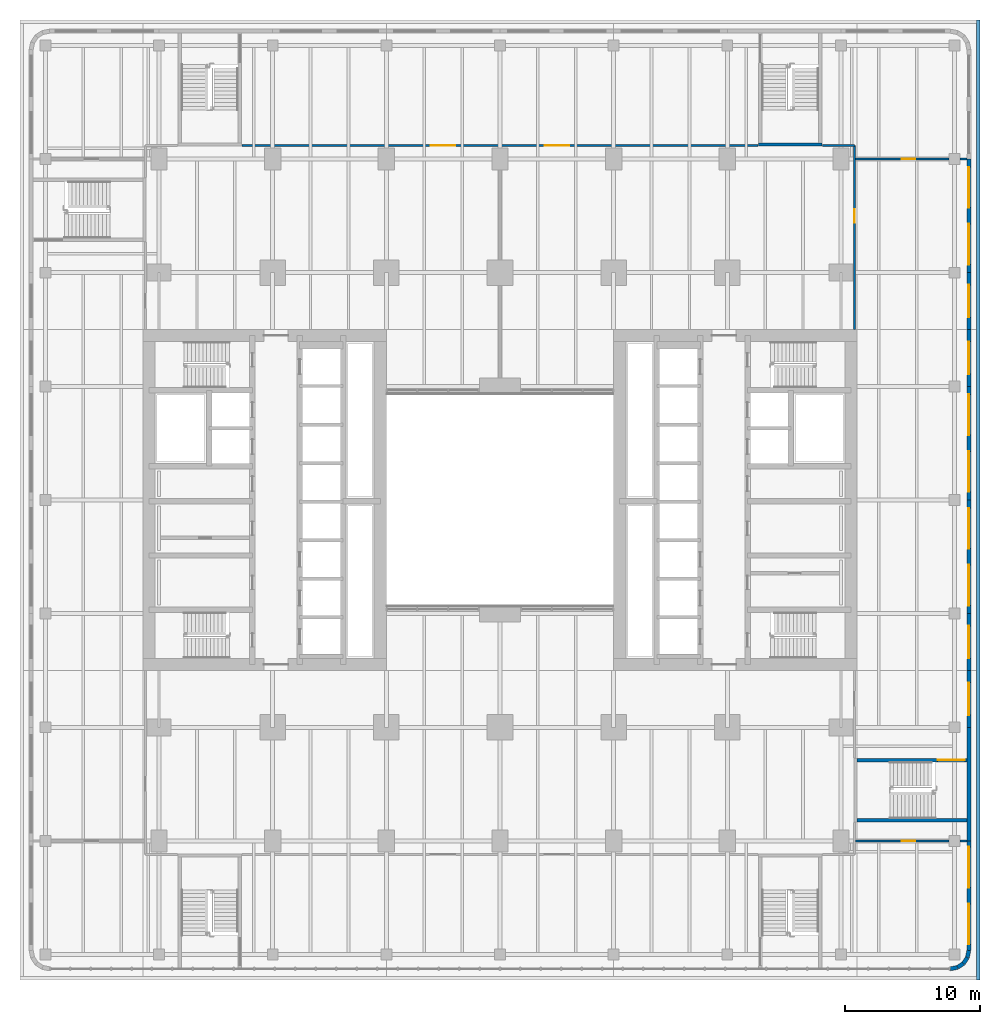
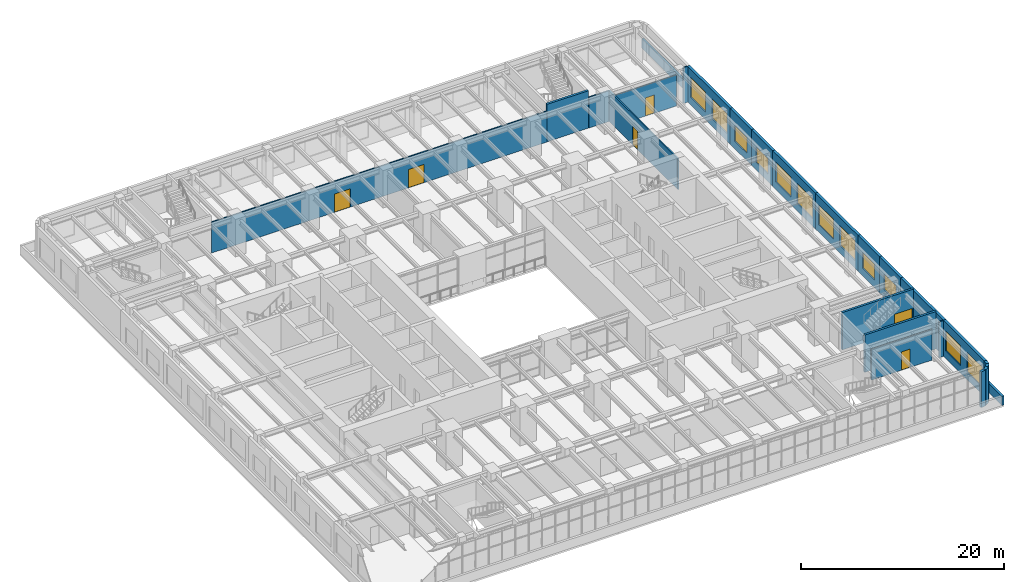
# One storey, part 21 of 30: 24 walls, 12 windows, 6 doors, 18 openings.
"""IFC4 building model written with IfcOpenShell, lengths in metres."""

from ifc_helpers import new_model, si_unit, direction, frame, frame_2d, origin, place, context, subcontext, project, spatial, rectangle, extrude, material, layer, layer_set, type_object, element, fill, save


model = new_model("IFC4")

# Units and contexts
model_context = context("Model", 3, precision=1e-05, world=origin(), true_north=direction((0.0, 1.0)))
body_context = subcontext(model_context, "Body", "Model", "MODEL_VIEW")
ifc_project = project(units=[si_unit("LENGTHUNIT", "METRE"), si_unit("AREAUNIT", "SQUARE_METRE"), si_unit("VOLUMEUNIT", "CUBIC_METRE"), si_unit("PLANEANGLEUNIT", "RADIAN"), si_unit("MASSUNIT", "GRAM", prefix="KILO")], contexts=[model_context])

# Site, building, storey
site_placement = place(None, origin())
site = spatial("IfcSite", under=ifc_project, at=site_placement, CompositionType="ELEMENT")
building_placement = place(site_placement, origin())
building = spatial("IfcBuilding", under=site, at=building_placement, Name="Claustro Exchange Tower", CompositionType="ELEMENT")
storey_placement = place(building_placement, frame((0.0, 0.0, 5.39990234375)))
storey = spatial("IfcBuildingStorey", under=building, at=storey_placement, Name="L01", CompositionType="ELEMENT", Elevation=5.39990234375)

# Wall, opening, door
ifc_material_1 = material(Name="Gypsum board on steel studs", Category="steel")
ifc_layer_1 = layer(ifc_material_1, 0.14990234375)
ifc_layer_set_1 = layer_set([ifc_layer_1], Name="Gypsum board on steel studs")
wall_type_1 = type_object("IfcWallType", Name="P1 150 plasterboard partition", PredefinedType="PARTITIONING", material=ifc_layer_set_1)
wall_1_placement = place(storey_placement, frame((51.47412109375, 0.0, 0.0), z_axis=(0.0, 0.0, 1.0), x_axis=(1.0, 0.0, 0.0)))
wall_1 = element("IfcWall", 1, at=wall_1_placement, inside=storey, type_object=wall_type_1, Name="Partition P1 L01", PredefinedType="PARTITIONING", context=body_context, shape_type="SweptSolid", body=[
    extrude(rectangle(XDim=6.9267578125, YDim=0.14990234375, at=frame_2d((3.46337890625, 0.0))), origin(), (0.0, 0.0, 1.0), 3.7001953125),
])
opening_1_placement = place(wall_1_placement, frame((3.426025390625, 0.0, 0.0)))
opening_1 = element("IfcOpeningElement", 2, at=opening_1_placement, cuts=wall_1, Name="Opening D1", PredefinedType="OPENING", context=body_context, shape_type="SweptSolid", body=[
    extrude(rectangle(XDim=1.0, YDim=2.199951171875, at=frame_2d((0.5, 1.10009765625))), frame((0.0, 0.0849609375, 0.0), z_axis=(0.0, -1.0, 0.0), x_axis=(1.0, 0.0, 0.0)), (0.0, 0.0, 1.0), 0.169921875),
])
ifc_material_2 = material(Name="Timber door, oak veneer", Category="wood")
door_type_1 = type_object("IfcDoorType", Name="D1 1000 x 2200 single door", OperationType="SINGLE_SWING_LEFT", PredefinedType="DOOR", material=ifc_material_2)
door_1_placement = place(opening_1_placement, origin())
door_1 = element("IfcDoor", 3, at=door_1_placement, inside=storey, type_object=door_type_1, Name="Door D1 L01", OperationType="SINGLE_SWING_LEFT", OverallHeight=2.199951171875, OverallWidth=1.0, PredefinedType="DOOR", context=body_context, shape_type="SweptSolid", body=[
    extrude(rectangle(XDim=1.0, YDim=2.199951171875, at=frame_2d((0.5, 1.10009765625))), frame((0.0, 0.02490234375, 0.0), z_axis=(0.0, -1.0, 0.0), x_axis=(1.0, 0.0, 0.0)), (0.0, 0.0, 1.0), 0.050048828125),
])
fill(opening_1, door_1)

# Wall
wall_2_placement = place(storey_placement, frame((59.198974609375, 0.0, 0.0), z_axis=(0.0, 0.0, 1.0), x_axis=(1.0, 0.0, 0.0)))
element("IfcWall", 4, at=wall_2_placement, inside=storey, type_object=wall_type_1, Name="Partition P1 L01", PredefinedType="PARTITIONING", context=body_context, shape_type="SweptSolid", body=[
    extrude(rectangle(XDim=0.5029296875, YDim=0.14990234375, at=frame_2d((0.25146484375, 0.0))), origin(), (0.0, 0.0, 1.0), 4.300048828125),
])

# Wall, openings, doors
wall_3_placement = place(storey_placement, frame((6.1201171875, 51.39990234375, 0.0), z_axis=(0.0, 0.0, 1.0), x_axis=(1.0, 0.0, 0.0)))
wall_3 = element("IfcWall", 5, at=wall_3_placement, inside=storey, type_object=wall_type_1, Name="Partition P1 L01", PredefinedType="PARTITIONING", context=body_context, shape_type="SweptSolid", body=[
    extrude(rectangle(XDim=38.159912109375, YDim=0.14990234375, at=frame_2d((19.080078125, 0.0))), origin(), (0.0, 0.0, 1.0), 3.7001953125),
])
opening_2_placement = place(wall_3_placement, frame((13.97998046875, 0.0, 0.0)))
opening_2 = element("IfcOpeningElement", 6, at=opening_2_placement, cuts=wall_3, Name="Opening D2", PredefinedType="OPENING", context=body_context, shape_type="SweptSolid", body=[
    extrude(rectangle(XDim=1.800048828125, YDim=2.199951171875, at=frame_2d((0.89990234375, 1.10009765625))), frame((0.0, 0.0849609375, 0.0), z_axis=(0.0, -1.0, 0.0), x_axis=(1.0, 0.0, 0.0)), (0.0, 0.0, 1.0), 0.169921875),
])
opening_3_placement = place(wall_3_placement, frame((22.3798828125, 0.0, 0.0)))
opening_3 = element("IfcOpeningElement", 7, at=opening_3_placement, cuts=wall_3, Name="Opening D2", PredefinedType="OPENING", context=body_context, shape_type="SweptSolid", body=[
    extrude(rectangle(XDim=1.800048828125, YDim=2.199951171875, at=frame_2d((0.89990234375, 1.10009765625))), frame((0.0, 0.0849609375, 0.0), z_axis=(0.0, -1.0, 0.0), x_axis=(1.0, 0.0, 0.0)), (0.0, 0.0, 1.0), 0.169921875),
])
ifc_material_3 = material(Name="Timber door, oak veneer", Category="wood")
door_type_2 = type_object("IfcDoorType", Name="D2 1800 x 2200 double door", OperationType="DOUBLE_DOOR_SINGLE_SWING", PredefinedType="DOOR", material=ifc_material_3)
door_2_placement = place(opening_2_placement, frame((1.800048828125, 0.0, 0.0), z_axis=(0.0, 0.0, 1.0), x_axis=(-1.0, 0.0, 0.0)))
door_2 = element("IfcDoor", 8, at=door_2_placement, inside=storey, type_object=door_type_2, Name="Double door D2 L01", OperationType="DOUBLE_DOOR_SINGLE_SWING", OverallHeight=2.199951171875, OverallWidth=1.800048828125, PredefinedType="DOOR", context=body_context, shape_type="SweptSolid", body=[
    extrude(rectangle(XDim=1.800048828125, YDim=2.199951171875, at=frame_2d((0.89990234375, 1.10009765625))), frame((0.0, 0.02490234375, 0.0), z_axis=(0.0, -1.0, 0.0), x_axis=(1.0, 0.0, 0.0)), (0.0, 0.0, 1.0), 0.050048828125),
])
fill(opening_2, door_2)
door_3_placement = place(opening_3_placement, origin())
door_3 = element("IfcDoor", 9, at=door_3_placement, inside=storey, type_object=door_type_2, Name="Double door D2 L01", OperationType="DOUBLE_DOOR_SINGLE_SWING", OverallHeight=2.199951171875, OverallWidth=1.800048828125, PredefinedType="DOOR", context=body_context, shape_type="SweptSolid", body=[
    extrude(rectangle(XDim=1.800048828125, YDim=2.199951171875, at=frame_2d((0.89990234375, 1.10009765625))), frame((0.0, 0.02490234375, 0.0), z_axis=(0.0, -1.0, 0.0), x_axis=(1.0, 0.0, 0.0)), (0.0, 0.0, 1.0), 0.050048828125),
])
fill(opening_3, door_3)

# Wall
wall_4_placement = place(storey_placement, frame((49.02001953125, 51.39990234375, 0.0), z_axis=(0.0, 0.0, 1.0), x_axis=(1.0, 0.0, 0.0)))
element("IfcWall", 10, at=wall_4_placement, inside=storey, type_object=wall_type_1, Name="Partition P1 L01", PredefinedType="PARTITIONING", context=body_context, shape_type="SweptSolid", body=[
    extrude(rectangle(XDim=2.3798828125, YDim=0.14990234375, at=frame_2d((1.18994140625, 0.0))), origin(), (0.0, 0.0, 1.0), 3.7001953125),
])

# Wall, opening, door
wall_5_placement = place(storey_placement, frame((51.47412109375, 50.39990234375, 0.0), z_axis=(0.0, 0.0, 1.0), x_axis=(1.0, 0.0, 0.0)))
wall_5 = element("IfcWall", 11, at=wall_5_placement, inside=storey, type_object=wall_type_1, Name="Partition P1 L01", PredefinedType="PARTITIONING", context=body_context, shape_type="SweptSolid", body=[
    extrude(rectangle(XDim=6.9267578125, YDim=0.14990234375, at=frame_2d((3.46337890625, 0.0))), origin(), (0.0, 0.0, 1.0), 3.7001953125),
])
opening_4_placement = place(wall_5_placement, frame((3.426025390625, 0.0, 0.0)))
opening_4 = element("IfcOpeningElement", 12, at=opening_4_placement, cuts=wall_5, Name="Opening D1", PredefinedType="OPENING", context=body_context, shape_type="SweptSolid", body=[
    extrude(rectangle(XDim=1.0, YDim=2.199951171875, at=frame_2d((0.5, 1.10009765625))), frame((0.0, 0.0849609375, 0.0), z_axis=(0.0, -1.0, 0.0), x_axis=(1.0, 0.0, 0.0)), (0.0, 0.0, 1.0), 0.169921875),
])
door_4_placement = place(opening_4_placement, frame((1.0, 0.0, 0.0), z_axis=(0.0, 0.0, 1.0), x_axis=(-1.0, 0.0, 0.0)))
door_4 = element("IfcDoor", 13, at=door_4_placement, inside=storey, type_object=door_type_1, Name="Door D1 L01", OperationType="SINGLE_SWING_RIGHT", OverallHeight=2.199951171875, OverallWidth=1.0, PredefinedType="DOOR", context=body_context, shape_type="SweptSolid", body=[
    extrude(rectangle(XDim=1.0, YDim=2.199951171875, at=frame_2d((0.5, 1.10009765625))), frame((0.0, 0.02490234375, 0.0), z_axis=(0.0, -1.0, 0.0), x_axis=(1.0, 0.0, 0.0)), (0.0, 0.0, 1.0), 0.050048828125),
])
fill(opening_4, door_4)

# Wall
wall_6_placement = place(storey_placement, frame((59.198974609375, 50.39990234375, 0.0), z_axis=(0.0, 0.0, 1.0), x_axis=(1.0, 0.0, 0.0)))
element("IfcWall", 14, at=wall_6_placement, inside=storey, type_object=wall_type_1, Name="Partition P1 L01", PredefinedType="PARTITIONING", context=body_context, shape_type="SweptSolid", body=[
    extrude(rectangle(XDim=0.5029296875, YDim=0.14990234375, at=frame_2d((0.25146484375, 0.0))), origin(), (0.0, 0.0, 1.0), 4.300048828125),
])

# Wall, opening, door
wall_7_placement = place(storey_placement, frame((51.39990234375, 37.800048828125, 0.0), z_axis=(0.0, 0.0, 1.0), x_axis=(0.0, 1.0, 0.0)))
wall_7 = element("IfcWall", 15, at=wall_7_placement, inside=storey, type_object=wall_type_1, Name="Partition P1 L01", PredefinedType="PARTITIONING", context=body_context, shape_type="SweptSolid", body=[
    extrude(rectangle(XDim=13.599853515625, YDim=0.14990234375, at=frame_2d((6.7998046875, 0.0))), origin(), (0.0, 0.0, 1.0), 3.7001953125),
])
opening_5_placement = place(wall_7_placement, frame((7.89990234375, 0.0, 0.0)))
opening_5 = element("IfcOpeningElement", 16, at=opening_5_placement, cuts=wall_7, Name="Opening D1", PredefinedType="OPENING", context=body_context, shape_type="SweptSolid", body=[
    extrude(rectangle(XDim=1.0, YDim=2.199951171875, at=frame_2d((0.5, 1.10009765625))), frame((0.0, 0.0849609375, 0.0), z_axis=(0.0, -1.0, 0.0), x_axis=(1.0, 0.0, 0.0)), (0.0, 0.0, 1.0), 0.169921875),
])
door_5_placement = place(opening_5_placement, frame((1.0, 0.0, 0.0), z_axis=(0.0, 0.0, 1.0), x_axis=(-1.0, 0.0, 0.0)))
door_5 = element("IfcDoor", 17, at=door_5_placement, inside=storey, type_object=door_type_1, Name="Door D1 L01", OperationType="SINGLE_SWING_LEFT", OverallHeight=2.199951171875, OverallWidth=1.0, PredefinedType="DOOR", context=body_context, shape_type="SweptSolid", body=[
    extrude(rectangle(XDim=1.0, YDim=2.199951171875, at=frame_2d((0.5, 1.10009765625))), frame((0.0, 0.02490234375, 0.0), z_axis=(0.0, -1.0, 0.0), x_axis=(1.0, 0.0, 0.0)), (0.0, 0.0, 1.0), 0.050048828125),
])
fill(opening_5, door_5)

# Wall, openings, windows
ifc_material_4 = material(Name="Concrete HA-40 (C40/50), precast, white cement, acid-etched", Category="concrete")
ifc_layer_2 = layer(ifc_material_4, 0.300048828125)
ifc_layer_set_2 = layer_set([ifc_layer_2], Name="Concrete HA-40 (C40/50), precast, white cement, acid-etched")
wall_type_2 = type_object("IfcWallType", Name="PC1 300 precast concrete pier panel", PredefinedType="SOLIDWALL", material=ifc_layer_set_2)
wall_8_placement = place(storey_placement, frame((59.85009765625, 50.39990234375, 0.0), z_axis=(0.0, 0.0, 1.0), x_axis=(0.0, -1.0, 0.0)))
wall_8 = element("IfcWall", 18, at=wall_8_placement, inside=storey, type_object=wall_type_2, Name="Precast pier panel PC1 L01", PredefinedType="SOLIDWALL", context=body_context, shape_type="SweptSolid", body=[
    extrude(rectangle(XDim=8.39990234375, YDim=0.300048828125, at=frame_2d((4.199951171875, 0.0))), origin(), (0.0, 0.0, 1.0), 4.300048828125),
])
opening_6_placement = place(wall_8_placement, frame((0.60009765625, 0.0, 0.89990234375)))
opening_6 = element("IfcOpeningElement", 19, at=opening_6_placement, cuts=wall_8, Name="Opening W3", PredefinedType="OPENING", context=body_context, shape_type="SweptSolid", body=[
    extrude(rectangle(XDim=3.0, YDim=2.39990234375, at=frame_2d((1.5, 1.199951171875))), frame((0.0, 0.159912109375, 0.0), z_axis=(0.0, -1.0, 0.0), x_axis=(1.0, 0.0, 0.0)), (0.0, 0.0, 1.0), 0.320068359375),
])
opening_7_placement = place(wall_8_placement, frame((4.800048828125, 0.0, 0.89990234375)))
opening_7 = element("IfcOpeningElement", 20, at=opening_7_placement, cuts=wall_8, Name="Opening W3", PredefinedType="OPENING", context=body_context, shape_type="SweptSolid", body=[
    extrude(rectangle(XDim=3.0, YDim=2.39990234375, at=frame_2d((1.5, 1.199951171875))), frame((0.0, 0.159912109375, 0.0), z_axis=(0.0, -1.0, 0.0), x_axis=(1.0, 0.0, 0.0)), (0.0, 0.0, 1.0), 0.320068359375),
])
ifc_material_5 = material(Name="Aluminium frame, clear double glazing", Category="aluminium")
window_type_1 = type_object("IfcWindowType", Name="W3 3000 x 2400 window", PartitioningType="SINGLE_PANEL", PredefinedType="WINDOW", material=ifc_material_5)
window_1_placement = place(opening_6_placement, origin())
window_1 = element("IfcWindow", 21, at=window_1_placement, inside=storey, type_object=window_type_1, Name="Window W3 L01", OverallHeight=2.39990234375, OverallWidth=3.0, PartitioningType="SINGLE_PANEL", PredefinedType="WINDOW", context=body_context, shape_type="SweptSolid", body=[
    extrude(rectangle(XDim=3.0, YDim=2.39990234375, at=frame_2d((1.5, 1.199951171875))), frame((0.0, 0.030029296875, 0.0), z_axis=(0.0, -1.0, 0.0), x_axis=(1.0, 0.0, 0.0)), (0.0, 0.0, 1.0), 0.06005859375),
])
fill(opening_6, window_1)
window_2_placement = place(opening_7_placement, origin())
window_2 = element("IfcWindow", 22, at=window_2_placement, inside=storey, type_object=window_type_1, Name="Window W3 L01", OverallHeight=2.39990234375, OverallWidth=3.0, PartitioningType="SINGLE_PANEL", PredefinedType="WINDOW", context=body_context, shape_type="SweptSolid", body=[
    extrude(rectangle(XDim=3.0, YDim=2.39990234375, at=frame_2d((1.5, 1.199951171875))), frame((0.0, 0.030029296875, 0.0), z_axis=(0.0, -1.0, 0.0), x_axis=(1.0, 0.0, 0.0)), (0.0, 0.0, 1.0), 0.06005859375),
])
fill(opening_7, window_2)

# Wall, opening, window
wall_9_placement = place(storey_placement, frame((59.85009765625, 42.0, 0.0), z_axis=(0.0, 0.0, 1.0), x_axis=(0.0, -1.0, 0.0)))
wall_9 = element("IfcWall", 23, at=wall_9_placement, inside=storey, type_object=wall_type_2, Name="Precast pier panel PC1 L01", PredefinedType="SOLIDWALL", context=body_context, shape_type="SweptSolid", body=[
    extrude(rectangle(XDim=4.199951171875, YDim=0.300048828125, at=frame_2d((2.10009765625, 0.0))), origin(), (0.0, 0.0, 1.0), 4.300048828125),
])
opening_8_placement = place(wall_9_placement, frame((0.89990234375, 0.0, 0.89990234375)))
opening_8 = element("IfcOpeningElement", 24, at=opening_8_placement, cuts=wall_9, Name="Opening W2", PredefinedType="OPENING", context=body_context, shape_type="SweptSolid", body=[
    extrude(rectangle(XDim=2.39990234375, YDim=1.89990234375, at=frame_2d((1.199951171875, 0.949951171875))), frame((0.0, 0.159912109375, 0.0), z_axis=(0.0, -1.0, 0.0), x_axis=(1.0, 0.0, 0.0)), (0.0, 0.0, 1.0), 0.320068359375),
])
ifc_material_6 = material(Name="Aluminium frame, clear double glazing", Category="aluminium")
window_type_2 = type_object("IfcWindowType", Name="W2 2400 x 1900 window", PartitioningType="SINGLE_PANEL", PredefinedType="WINDOW", material=ifc_material_6)
window_3_placement = place(opening_8_placement, origin())
window_3 = element("IfcWindow", 25, at=window_3_placement, inside=storey, type_object=window_type_2, Name="Window W2 L01", OverallHeight=1.89990234375, OverallWidth=2.39990234375, PartitioningType="SINGLE_PANEL", PredefinedType="WINDOW", context=body_context, shape_type="SweptSolid", body=[
    extrude(rectangle(XDim=2.39990234375, YDim=1.89990234375, at=frame_2d((1.199951171875, 0.949951171875))), frame((0.0, 0.030029296875, 0.0), z_axis=(0.0, -1.0, 0.0), x_axis=(1.0, 0.0, 0.0)), (0.0, 0.0, 1.0), 0.06005859375),
])
fill(opening_8, window_3)

wall_10_placement = place(storey_placement, frame((59.85009765625, 37.800048828125, 0.0), z_axis=(0.0, 0.0, 1.0), x_axis=(0.0, -1.0, 0.0)))
wall_10 = element("IfcWall", 26, at=wall_10_placement, inside=storey, type_object=wall_type_2, Name="Precast pier panel PC1 L01", PredefinedType="SOLIDWALL", context=body_context, shape_type="SweptSolid", body=[
    extrude(rectangle(XDim=4.199951171875, YDim=0.300048828125, at=frame_2d((2.10009765625, 0.0))), origin(), (0.0, 0.0, 1.0), 4.300048828125),
])
opening_9_placement = place(wall_10_placement, frame((0.89990234375, 0.0, 0.89990234375)))
opening_9 = element("IfcOpeningElement", 27, at=opening_9_placement, cuts=wall_10, Name="Opening W2", PredefinedType="OPENING", context=body_context, shape_type="SweptSolid", body=[
    extrude(rectangle(XDim=2.39990234375, YDim=1.89990234375, at=frame_2d((1.199951171875, 0.949951171875))), frame((0.0, 0.159912109375, 0.0), z_axis=(0.0, -1.0, 0.0), x_axis=(1.0, 0.0, 0.0)), (0.0, 0.0, 1.0), 0.320068359375),
])
window_4_placement = place(opening_9_placement, origin())
window_4 = element("IfcWindow", 28, at=window_4_placement, inside=storey, type_object=window_type_2, Name="Window W2 L01", OverallHeight=1.89990234375, OverallWidth=2.39990234375, PartitioningType="SINGLE_PANEL", PredefinedType="WINDOW", context=body_context, shape_type="SweptSolid", body=[
    extrude(rectangle(XDim=2.39990234375, YDim=1.89990234375, at=frame_2d((1.199951171875, 0.949951171875))), frame((0.0, 0.030029296875, 0.0), z_axis=(0.0, -1.0, 0.0), x_axis=(1.0, 0.0, 0.0)), (0.0, 0.0, 1.0), 0.06005859375),
])
fill(opening_9, window_4)

# Wall, openings, windows
wall_11_placement = place(storey_placement, frame((59.85009765625, 33.60009765625, 0.0), z_axis=(0.0, 0.0, 1.0), x_axis=(0.0, -1.0, 0.0)))
wall_11 = element("IfcWall", 29, at=wall_11_placement, inside=storey, type_object=wall_type_2, Name="Precast pier panel PC1 L01", PredefinedType="SOLIDWALL", context=body_context, shape_type="SweptSolid", body=[
    extrude(rectangle(XDim=8.400146484375, YDim=0.300048828125, at=frame_2d((4.2001953125, 0.0))), origin(), (0.0, 0.0, 1.0), 4.300048828125),
])
opening_10_placement = place(wall_11_placement, frame((0.60009765625, 0.0, 0.89990234375)))
opening_10 = element("IfcOpeningElement", 30, at=opening_10_placement, cuts=wall_11, Name="Opening W3", PredefinedType="OPENING", context=body_context, shape_type="SweptSolid", body=[
    extrude(rectangle(XDim=3.0, YDim=2.39990234375, at=frame_2d((1.5, 1.199951171875))), frame((0.0, 0.159912109375, 0.0), z_axis=(0.0, -1.0, 0.0), x_axis=(1.0, 0.0, 0.0)), (0.0, 0.0, 1.0), 0.320068359375),
])
opening_11_placement = place(wall_11_placement, frame((4.800048828125, 0.0, 0.89990234375)))
opening_11 = element("IfcOpeningElement", 31, at=opening_11_placement, cuts=wall_11, Name="Opening W3", PredefinedType="OPENING", context=body_context, shape_type="SweptSolid", body=[
    extrude(rectangle(XDim=3.0, YDim=2.39990234375, at=frame_2d((1.5, 1.199951171875))), frame((0.0, 0.159912109375, 0.0), z_axis=(0.0, -1.0, 0.0), x_axis=(1.0, 0.0, 0.0)), (0.0, 0.0, 1.0), 0.320068359375),
])
window_5_placement = place(opening_10_placement, origin())
window_5 = element("IfcWindow", 32, at=window_5_placement, inside=storey, type_object=window_type_1, Name="Window W3 L01", OverallHeight=2.39990234375, OverallWidth=3.0, PartitioningType="SINGLE_PANEL", PredefinedType="WINDOW", context=body_context, shape_type="SweptSolid", body=[
    extrude(rectangle(XDim=3.0, YDim=2.39990234375, at=frame_2d((1.5, 1.199951171875))), frame((0.0, 0.030029296875, 0.0), z_axis=(0.0, -1.0, 0.0), x_axis=(1.0, 0.0, 0.0)), (0.0, 0.0, 1.0), 0.06005859375),
])
fill(opening_10, window_5)
window_6_placement = place(opening_11_placement, origin())
window_6 = element("IfcWindow", 33, at=window_6_placement, inside=storey, type_object=window_type_1, Name="Window W3 L01", OverallHeight=2.39990234375, OverallWidth=3.0, PartitioningType="SINGLE_PANEL", PredefinedType="WINDOW", context=body_context, shape_type="SweptSolid", body=[
    extrude(rectangle(XDim=3.0, YDim=2.39990234375, at=frame_2d((1.5, 1.199951171875))), frame((0.0, 0.030029296875, 0.0), z_axis=(0.0, -1.0, 0.0), x_axis=(1.0, 0.0, 0.0)), (0.0, 0.0, 1.0), 0.06005859375),
])
fill(opening_11, window_6)

wall_12_placement = place(storey_placement, frame((59.85009765625, 25.199951171875, 0.0), z_axis=(0.0, 0.0, 1.0), x_axis=(0.0, -1.0, 0.0)))
wall_12 = element("IfcWall", 34, at=wall_12_placement, inside=storey, type_object=wall_type_2, Name="Precast pier panel PC1 L01", PredefinedType="SOLIDWALL", context=body_context, shape_type="SweptSolid", body=[
    extrude(rectangle(XDim=8.39990234375, YDim=0.300048828125, at=frame_2d((4.199951171875, 0.0))), origin(), (0.0, 0.0, 1.0), 4.300048828125),
])
opening_12_placement = place(wall_12_placement, frame((0.60009765625, 0.0, 0.89990234375)))
opening_12 = element("IfcOpeningElement", 35, at=opening_12_placement, cuts=wall_12, Name="Opening W3", PredefinedType="OPENING", context=body_context, shape_type="SweptSolid", body=[
    extrude(rectangle(XDim=3.0, YDim=2.39990234375, at=frame_2d((1.5, 1.199951171875))), frame((0.0, 0.159912109375, 0.0), z_axis=(0.0, -1.0, 0.0), x_axis=(1.0, 0.0, 0.0)), (0.0, 0.0, 1.0), 0.320068359375),
])
opening_13_placement = place(wall_12_placement, frame((4.800048828125, 0.0, 0.89990234375)))
opening_13 = element("IfcOpeningElement", 36, at=opening_13_placement, cuts=wall_12, Name="Opening W3", PredefinedType="OPENING", context=body_context, shape_type="SweptSolid", body=[
    extrude(rectangle(XDim=3.0, YDim=2.39990234375, at=frame_2d((1.5, 1.199951171875))), frame((0.0, 0.159912109375, 0.0), z_axis=(0.0, -1.0, 0.0), x_axis=(1.0, 0.0, 0.0)), (0.0, 0.0, 1.0), 0.320068359375),
])
window_7_placement = place(opening_12_placement, origin())
window_7 = element("IfcWindow", 37, at=window_7_placement, inside=storey, type_object=window_type_1, Name="Window W3 L01", OverallHeight=2.39990234375, OverallWidth=3.0, PartitioningType="SINGLE_PANEL", PredefinedType="WINDOW", context=body_context, shape_type="SweptSolid", body=[
    extrude(rectangle(XDim=3.0, YDim=2.39990234375, at=frame_2d((1.5, 1.199951171875))), frame((0.0, 0.030029296875, 0.0), z_axis=(0.0, -1.0, 0.0), x_axis=(1.0, 0.0, 0.0)), (0.0, 0.0, 1.0), 0.06005859375),
])
fill(opening_12, window_7)
window_8_placement = place(opening_13_placement, origin())
window_8 = element("IfcWindow", 38, at=window_8_placement, inside=storey, type_object=window_type_1, Name="Window W3 L01", OverallHeight=2.39990234375, OverallWidth=3.0, PartitioningType="SINGLE_PANEL", PredefinedType="WINDOW", context=body_context, shape_type="SweptSolid", body=[
    extrude(rectangle(XDim=3.0, YDim=2.39990234375, at=frame_2d((1.5, 1.199951171875))), frame((0.0, 0.030029296875, 0.0), z_axis=(0.0, -1.0, 0.0), x_axis=(1.0, 0.0, 0.0)), (0.0, 0.0, 1.0), 0.06005859375),
])
fill(opening_13, window_8)

# Wall, opening, window
wall_13_placement = place(storey_placement, frame((59.85009765625, 16.800048828125, 0.0), z_axis=(0.0, 0.0, 1.0), x_axis=(0.0, -1.0, 0.0)))
wall_13 = element("IfcWall", 39, at=wall_13_placement, inside=storey, type_object=wall_type_2, Name="Precast pier panel PC1 L01", PredefinedType="SOLIDWALL", context=body_context, shape_type="SweptSolid", body=[
    extrude(rectangle(XDim=4.199951171875, YDim=0.300048828125, at=frame_2d((2.10009765625, 0.0))), origin(), (0.0, 0.0, 1.0), 4.300048828125),
])
opening_14_placement = place(wall_13_placement, frame((0.89990234375, 0.0, 0.89990234375)))
opening_14 = element("IfcOpeningElement", 40, at=opening_14_placement, cuts=wall_13, Name="Opening W2", PredefinedType="OPENING", context=body_context, shape_type="SweptSolid", body=[
    extrude(rectangle(XDim=2.39990234375, YDim=1.89990234375, at=frame_2d((1.199951171875, 0.949951171875))), frame((0.0, 0.159912109375, 0.0), z_axis=(0.0, -1.0, 0.0), x_axis=(1.0, 0.0, 0.0)), (0.0, 0.0, 1.0), 0.320068359375),
])
window_9_placement = place(opening_14_placement, origin())
window_9 = element("IfcWindow", 41, at=window_9_placement, inside=storey, type_object=window_type_2, Name="Window W2 L01", OverallHeight=1.89990234375, OverallWidth=2.39990234375, PartitioningType="SINGLE_PANEL", PredefinedType="WINDOW", context=body_context, shape_type="SweptSolid", body=[
    extrude(rectangle(XDim=2.39990234375, YDim=1.89990234375, at=frame_2d((1.199951171875, 0.949951171875))), frame((0.0, 0.030029296875, 0.0), z_axis=(0.0, -1.0, 0.0), x_axis=(1.0, 0.0, 0.0)), (0.0, 0.0, 1.0), 0.06005859375),
])
fill(opening_14, window_9)

wall_14_placement = place(storey_placement, frame((59.85009765625, 12.60009765625, 0.0), z_axis=(0.0, 0.0, 1.0), x_axis=(0.0, -1.0, 0.0)))
wall_14 = element("IfcWall", 42, at=wall_14_placement, inside=storey, type_object=wall_type_2, Name="Precast pier panel PC1 L01", PredefinedType="SOLIDWALL", context=body_context, shape_type="SweptSolid", body=[
    extrude(rectangle(XDim=4.2001953125, YDim=0.300048828125, at=frame_2d((2.10009765625, 0.0))), origin(), (0.0, 0.0, 1.0), 4.300048828125),
])
opening_15_placement = place(wall_14_placement, frame((0.89990234375, 0.0, 0.89990234375)))
opening_15 = element("IfcOpeningElement", 43, at=opening_15_placement, cuts=wall_14, Name="Opening W2", PredefinedType="OPENING", context=body_context, shape_type="SweptSolid", body=[
    extrude(rectangle(XDim=2.39990234375, YDim=1.89990234375, at=frame_2d((1.199951171875, 0.949951171875))), frame((0.0, 0.159912109375, 0.0), z_axis=(0.0, -1.0, 0.0), x_axis=(1.0, 0.0, 0.0)), (0.0, 0.0, 1.0), 0.320068359375),
])
window_10_placement = place(opening_15_placement, origin())
window_10 = element("IfcWindow", 44, at=window_10_placement, inside=storey, type_object=window_type_2, Name="Window W2 L01", OverallHeight=1.89990234375, OverallWidth=2.39990234375, PartitioningType="SINGLE_PANEL", PredefinedType="WINDOW", context=body_context, shape_type="SweptSolid", body=[
    extrude(rectangle(XDim=2.39990234375, YDim=1.89990234375, at=frame_2d((1.199951171875, 0.949951171875))), frame((0.0, 0.030029296875, 0.0), z_axis=(0.0, -1.0, 0.0), x_axis=(1.0, 0.0, 0.0)), (0.0, 0.0, 1.0), 0.06005859375),
])
fill(opening_15, window_10)

# Wall
wall_15_placement = place(storey_placement, frame((59.85009765625, 8.39990234375, 0.0), z_axis=(0.0, 0.0, 1.0), x_axis=(0.0, -1.0, 0.0)))
element("IfcWall", 45, at=wall_15_placement, inside=storey, type_object=wall_type_2, Name="Precast pier panel PC1 L01", PredefinedType="SOLIDWALL", context=body_context, shape_type="SweptSolid", body=[
    extrude(rectangle(XDim=8.39990234375, YDim=0.300048828125, at=frame_2d((4.199951171875, 0.0))), origin(), (0.0, 0.0, 1.0), 4.300048828125),
])

# Wall, openings, windows
wall_16_placement = place(storey_placement, frame((59.85009765625, 0.0, 0.0), z_axis=(0.0, 0.0, 1.0), x_axis=(0.0, -1.0, 0.0)))
wall_16 = element("IfcWall", 46, at=wall_16_placement, inside=storey, type_object=wall_type_2, Name="Precast pier panel PC1 L01", PredefinedType="SOLIDWALL", context=body_context, shape_type="SweptSolid", body=[
    extrude(rectangle(XDim=8.085205078125, YDim=0.300048828125, at=frame_2d((4.04248046875, 0.0))), origin(), (0.0, 0.0, 1.0), 4.300048828125),
])
opening_16_placement = place(wall_16_placement, frame((0.442626953125, 0.0, 0.89990234375)))
opening_16 = element("IfcOpeningElement", 47, at=opening_16_placement, cuts=wall_16, Name="Opening W3", PredefinedType="OPENING", context=body_context, shape_type="SweptSolid", body=[
    extrude(rectangle(XDim=3.0, YDim=2.39990234375, at=frame_2d((1.5, 1.199951171875))), frame((0.0, 0.159912109375, 0.0), z_axis=(0.0, -1.0, 0.0), x_axis=(1.0, 0.0, 0.0)), (0.0, 0.0, 1.0), 0.320068359375),
])
opening_17_placement = place(wall_16_placement, frame((4.642578125, 0.0, 0.89990234375)))
opening_17 = element("IfcOpeningElement", 48, at=opening_17_placement, cuts=wall_16, Name="Opening W3", PredefinedType="OPENING", context=body_context, shape_type="SweptSolid", body=[
    extrude(rectangle(XDim=3.0, YDim=2.39990234375, at=frame_2d((1.5, 1.199951171875))), frame((0.0, 0.159912109375, 0.0), z_axis=(0.0, -1.0, 0.0), x_axis=(1.0, 0.0, 0.0)), (0.0, 0.0, 1.0), 0.320068359375),
])
window_11_placement = place(opening_16_placement, origin())
window_11 = element("IfcWindow", 49, at=window_11_placement, inside=storey, type_object=window_type_1, Name="Window W3 L01", OverallHeight=2.39990234375, OverallWidth=3.0, PartitioningType="SINGLE_PANEL", PredefinedType="WINDOW", context=body_context, shape_type="SweptSolid", body=[
    extrude(rectangle(XDim=3.0, YDim=2.39990234375, at=frame_2d((1.5, 1.199951171875))), frame((0.0, 0.030029296875, 0.0), z_axis=(0.0, -1.0, 0.0), x_axis=(1.0, 0.0, 0.0)), (0.0, 0.0, 1.0), 0.06005859375),
])
fill(opening_16, window_11)
window_12_placement = place(opening_17_placement, origin())
window_12 = element("IfcWindow", 50, at=window_12_placement, inside=storey, type_object=window_type_1, Name="Window W3 L01", OverallHeight=2.39990234375, OverallWidth=3.0, PartitioningType="SINGLE_PANEL", PredefinedType="WINDOW", context=body_context, shape_type="SweptSolid", body=[
    extrude(rectangle(XDim=3.0, YDim=2.39990234375, at=frame_2d((1.5, 1.199951171875))), frame((0.0, 0.030029296875, 0.0), z_axis=(0.0, -1.0, 0.0), x_axis=(1.0, 0.0, 0.0)), (0.0, 0.0, 1.0), 0.06005859375),
])
fill(opening_17, window_12)

# Walls
wall_17_placement = place(storey_placement, frame((59.85009765625, -8.085205078125, 0.0), z_axis=(0.0, 0.0, 1.0), x_axis=(-0.1955082817, -0.980702050465, 0.0)))
element("IfcWall", 51, at=wall_17_placement, inside=storey, type_object=wall_type_2, Name="Precast pier panel PC1 L01", PredefinedType="SOLIDWALL", context=body_context, shape_type="SweptSolid", body=[
    extrude(rectangle(XDim=0.540771484375, YDim=0.300048828125, at=frame_2d((0.2705078125, 0.0))), origin(), (0.0, 0.0, 1.0), 4.300048828125),
])
wall_18_placement = place(storey_placement, frame((59.744384765625, -8.615478515625, 0.0), z_axis=(0.0, 0.0, 1.0), x_axis=(-0.555236195849, -0.831692711774, 0.0)))
element("IfcWall", 52, at=wall_18_placement, inside=storey, type_object=wall_type_2, Name="Precast pier panel PC1 L01", PredefinedType="SOLIDWALL", context=body_context, shape_type="SweptSolid", body=[
    extrude(rectangle(XDim=0.525390625, YDim=0.300048828125, at=frame_2d((0.2626953125, 0.0))), origin(), (0.0, 0.0, 1.0), 4.300048828125),
])
wall_19_placement = place(storey_placement, frame((59.45263671875, -9.052490234375, 0.0), z_axis=(0.0, 0.0, 1.0), x_axis=(-0.831621430339, -0.55534295404, 0.0)))
element("IfcWall", 53, at=wall_19_placement, inside=storey, type_object=wall_type_2, Name="Precast pier panel PC1 L01", PredefinedType="SOLIDWALL", context=body_context, shape_type="SweptSolid", body=[
    extrude(rectangle(XDim=0.52587890625, YDim=0.300048828125, at=frame_2d((0.262939453125, 0.0))), origin(), (0.0, 0.0, 1.0), 4.300048828125),
])
wall_20_placement = place(storey_placement, frame((59.015380859375, -9.344482421875, 0.0), z_axis=(0.0, 0.0, 1.0), x_axis=(-0.980788534345, -0.195073962632, 0.0)))
element("IfcWall", 54, at=wall_20_placement, inside=storey, type_object=wall_type_2, Name="Precast pier panel PC1 L01", PredefinedType="SOLIDWALL", context=body_context, shape_type="SweptSolid", body=[
    extrude(rectangle(XDim=0.540771484375, YDim=0.300048828125, at=frame_2d((0.2705078125, 0.0))), origin(), (0.0, 0.0, 1.0), 4.300048828125),
])
ifc_material_7 = material(Name="Concrete HA-40 (C40/50), precast, white cement, acid-etched", Category="concrete")
ifc_layer_3 = layer(ifc_material_7, 0.25)
ifc_layer_set_3 = layer_set([ifc_layer_3], Name="Concrete HA-40 (C40/50), precast, white cement, acid-etched")
wall_type_3 = type_object("IfcWallType", Name="PP1 250 precast concrete parapet", PredefinedType="PARAPET", material=ifc_layer_set_3)
wall_21_placement = place(storey_placement, frame((60.550048828125, 60.675048828125, 0.0), z_axis=(0.0, 0.0, 1.0), x_axis=(0.0, -1.0, 0.0)))
element("IfcWall", 55, at=wall_21_placement, inside=storey, type_object=wall_type_3, Name="Parapet PP1 roof at +5.400", PredefinedType="PARAPET", context=body_context, shape_type="SweptSolid", body=[
    extrude(rectangle(XDim=70.949951171875, YDim=0.25, at=frame_2d((35.47509765625, 0.0))), origin(), (0.0, 0.0, 1.0), 1.10009765625),
])
ifc_material_8 = material(Name="Concrete HA-40 (C40/50)", Category="concrete")
ifc_layer_4 = layer(ifc_material_8, 0.25)
ifc_layer_set_4 = layer_set([ifc_layer_4], Name="Concrete HA-40 (C40/50)")
wall_type_4 = type_object("IfcWallType", Name="SW7 250 reinforced concrete stair wall", PredefinedType="SOLIDWALL", material=ifc_layer_set_4)
wall_22_placement = place(storey_placement, frame((44.300048828125, 51.47509765625, 0.0), z_axis=(0.0, 0.0, 1.0), x_axis=(1.0, 0.0, 0.0)))
element("IfcWall", 56, at=wall_22_placement, inside=storey, type_object=wall_type_4, Name="Stair enclosure wall STP4 SW7 L01", PredefinedType="SOLIDWALL", context=body_context, shape_type="SweptSolid", body=[
    extrude(rectangle(XDim=4.699951171875, YDim=0.25, at=frame_2d((2.35009765625, 0.0))), origin(), (0.0, 0.0, 1.0), 4.5),
])
wall_23_placement = place(storey_placement, frame((59.701904296875, 1.52490234375, 0.0), z_axis=(0.0, 0.0, 1.0), x_axis=(-1.0, 0.0, 0.0)))
element("IfcWall", 57, at=wall_23_placement, inside=storey, type_object=wall_type_4, Name="Stair enclosure wall STP6 SW7 L01", PredefinedType="SOLIDWALL", context=body_context, shape_type="SweptSolid", body=[
    extrude(rectangle(XDim=8.101806640625, YDim=0.25, at=frame_2d((4.05078125, 0.0))), origin(), (0.0, 0.0, 1.0), 4.5),
])

# Wall, opening, door
wall_24_placement = place(storey_placement, frame((59.701904296875, 5.97509765625, 0.0), z_axis=(0.0, 0.0, 1.0), x_axis=(-1.0, 0.0, 0.0)))
wall_24 = element("IfcWall", 58, at=wall_24_placement, inside=storey, type_object=wall_type_4, Name="Stair enclosure wall STP6 SW7 L01", PredefinedType="SOLIDWALL", context=body_context, shape_type="SweptSolid", body=[
    extrude(rectangle(XDim=8.101806640625, YDim=0.25, at=frame_2d((4.05078125, 0.0))), origin(), (0.0, 0.0, 1.0), 4.5),
])
opening_18_placement = place(wall_24_placement, frame((0.14990234375, 0.0, 0.0)))
opening_18 = element("IfcOpeningElement", 59, at=opening_18_placement, cuts=wall_24, Name="Opening D11", PredefinedType="OPENING", context=body_context, shape_type="SweptSolid", body=[
    extrude(rectangle(XDim=2.0, YDim=2.199951171875, at=frame_2d((1.0, 1.10009765625))), frame((0.0, 0.135009765625, 0.0), z_axis=(0.0, -1.0, 0.0), x_axis=(1.0, 0.0, 0.0)), (0.0, 0.0, 1.0), 0.27001953125),
])
ifc_material_9 = material(Name="Steel fire door, painted", Category="steel")
door_type_3 = type_object("IfcDoorType", Name="D11 2000 x 2200 fire-rated stair double door", OperationType="DOUBLE_DOOR_SINGLE_SWING", PredefinedType="DOOR", material=ifc_material_9)
door_6_placement = place(opening_18_placement, origin())
door_6 = element("IfcDoor", 60, at=door_6_placement, inside=storey, type_object=door_type_3, Name="Stair door STP6 D11 L01", OperationType="DOUBLE_DOOR_SINGLE_SWING", OverallHeight=2.199951171875, OverallWidth=2.0, PredefinedType="DOOR", context=body_context, shape_type="SweptSolid", body=[
    extrude(rectangle(XDim=2.0, YDim=2.199951171875, at=frame_2d((1.0, 1.10009765625))), frame((0.0, 0.02490234375, 0.0), z_axis=(0.0, -1.0, 0.0), x_axis=(1.0, 0.0, 0.0)), (0.0, 0.0, 1.0), 0.050048828125),
])
fill(opening_18, door_6)

save(model, "model.ifc")
